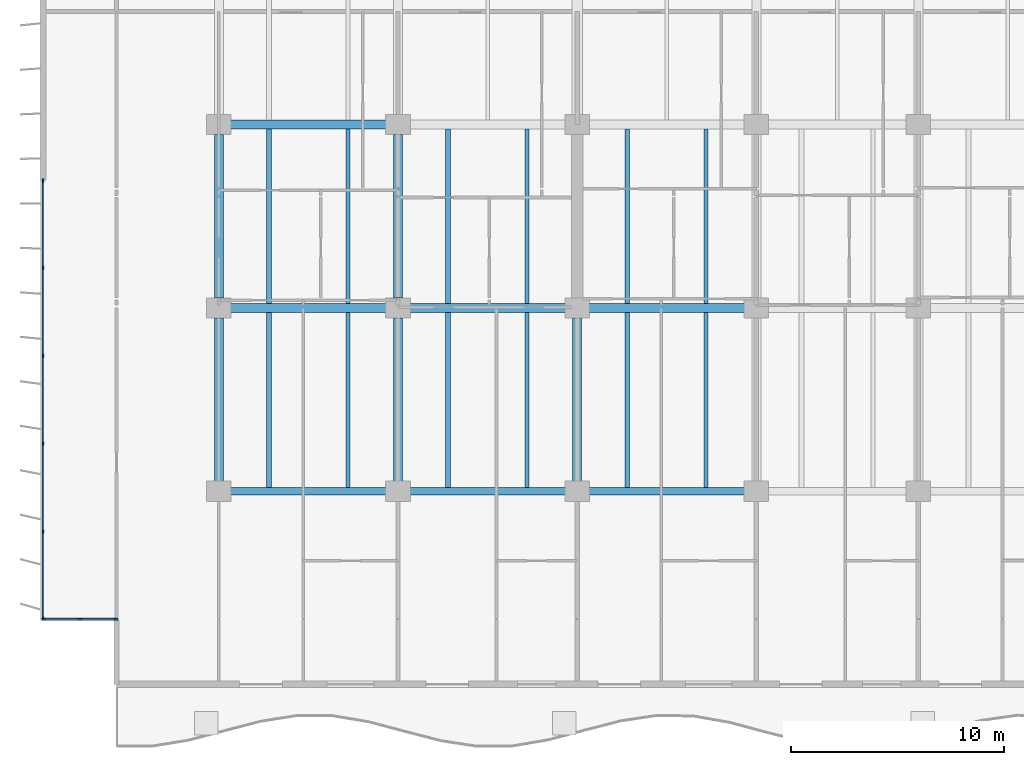
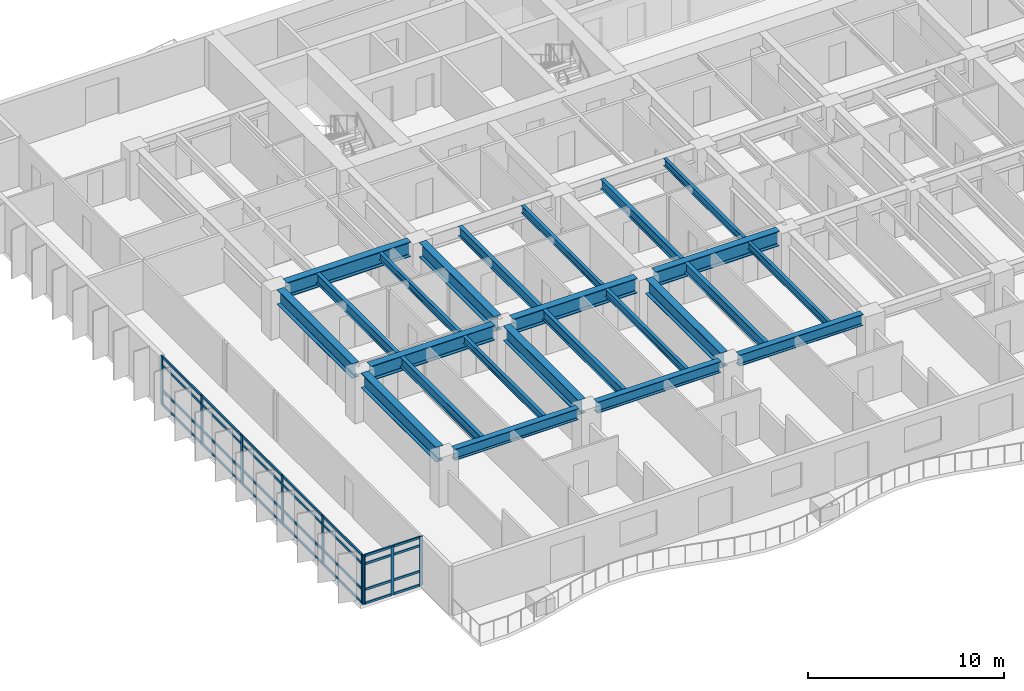
# One storey, part 2 of 18: 37 members, 24 beams, 2 elements without a shape of their own.
"""IFC4 building model written with IfcOpenShell, lengths in metres."""

import ifcopenshell
import ifcopenshell.guid

model = None  # the IFC model being written
_history = None  # IfcOwnerHistory: only IFC2X3 demands one
_inside = {}  # id of a spatial element -> (the spatial element, [elements in it])
_under = {}  # id of a project, library or spatial element -> (it, [spatial elements below it])
_declared = {}  # id of a project -> (the project, [libraries it declares])
_typed = {}  # id of a type object -> (the type object, [elements of that type])
_made_of = {}  # id of a material, layer set ... -> (it, [elements and type objects made of it])


def new_model(schema):
    """Start an empty IFC model of exactly this schema.

    Asked for "IFC4X3", IfcOpenShell would pick the latest addendum, in which some entities
    have other attributes; the version numbers below select the first issue.
    IFC2X3 requires an IfcOwnerHistory on every rooted entity: one is made here for all.
    """
    global model, _history
    if schema == "IFC4X3":
        model = ifcopenshell.file(schema_version=(4, 3, 0, 0))
    else:
        model = ifcopenshell.file(schema=schema)
    _inside.clear()
    _under.clear()
    _declared.clear()
    _typed.clear()
    _made_of.clear()
    _history = None
    if model.schema == "IFC2X3":
        org = make("IfcOrganization", Name="unknown")
        user = make(
            "IfcPersonAndOrganization",
            ThePerson=make("IfcPerson", FamilyName="unknown"),
            TheOrganization=org,
        )
        app = make(
            "IfcApplication",
            ApplicationDeveloper=org,
            Version="unknown",
            ApplicationFullName="unknown",
            ApplicationIdentifier="unknown",
        )
        _history = make(
            "IfcOwnerHistory",
            OwningUser=user,
            OwningApplication=app,
            ChangeAction="ADDED",
            CreationDate=0,
        )
    return model


def make(cls, **values):
    """One entity of the class cls with the attributes given. An attribute that is None is left unset."""
    return model.create_entity(
        cls, **{name: value for name, value in values.items() if value is not None}
    )


def rooted(cls, **values):
    """An entity with a GlobalId (a new one), such as an element, a storey or a relation."""
    return make(cls, GlobalId=ifcopenshell.guid.new(), OwnerHistory=_history, **values)


def si_unit(unit_type, name, prefix=None):
    """IfcSIUnit, for example si_unit("LENGTHUNIT", "METRE", prefix="MILLI")."""
    return make("IfcSIUnit", UnitType=unit_type, Prefix=prefix, Name=name)


def assignment(units):
    """IfcUnitAssignment: the units of a project."""
    return None if units is None else make("IfcUnitAssignment", Units=units)


def point(xyz):
    """IfcCartesianPoint."""
    return None if xyz is None else make("IfcCartesianPoint", Coordinates=xyz)


def direction(xyz):
    """IfcDirection."""
    return None if xyz is None else make("IfcDirection", DirectionRatios=xyz)


def frame(location, z_axis=None, x_axis=None):
    """IfcAxis2Placement3D, a coordinate frame: its origin and axes. An axis left out is left unset."""
    return make(
        "IfcAxis2Placement3D",
        Location=point(location),
        Axis=direction(z_axis),
        RefDirection=direction(x_axis),
    )


def frame_2d(location, x_axis=None):
    """IfcAxis2Placement2D, a coordinate frame in the plane: its origin and x axis."""
    return make(
        "IfcAxis2Placement2D", Location=point(location), RefDirection=direction(x_axis)
    )


def origin():
    """The frame at (0, 0, 0) with its axes left unset."""
    return frame((0.0, 0.0, 0.0))


def origin_2d():
    """The frame at (0, 0) in the plane with its x axis left unset."""
    return frame_2d((0.0, 0.0))


def place(relative_to, where):
    """IfcLocalPlacement: puts the frame where relative to a parent placement (None: the world)."""
    return make(
        "IfcLocalPlacement", PlacementRelTo=relative_to, RelativePlacement=where
    )


def context(
    kind, dimensions, precision=None, world=None, true_north=None, identifier=None
):
    """IfcGeometricRepresentationContext, for example the 3D "Model" context."""
    return make(
        "IfcGeometricRepresentationContext",
        ContextIdentifier=identifier,
        ContextType=kind,
        CoordinateSpaceDimension=dimensions,
        Precision=precision,
        WorldCoordinateSystem=world,
        TrueNorth=true_north,
    )


def subcontext(parent, identifier, kind, view, scale=None):
    """IfcGeometricRepresentationSubContext, for example "Body" below "Model"."""
    return make(
        "IfcGeometricRepresentationSubContext",
        ContextIdentifier=identifier,
        ContextType=kind,
        ParentContext=parent,
        TargetScale=scale,
        TargetView=view,
    )


def project(units=None, contexts=None):
    """IfcProject with its units and contexts."""
    return rooted(
        "IfcProject",
        Name="project",
        RepresentationContexts=contexts,
        UnitsInContext=assignment(units),
    )


def spatial(cls, under=None, at=None, **own):
    """A site, building, storey or space (cls), placed at a placement, below another one or the project."""
    s = rooted(cls, ObjectPlacement=at, **own)
    if under is not None:
        _under.setdefault(under.id(), (under, []))[1].append(s)
    return s


def profile(cls, at=None, kind="AREA", **sizes):
    """A parametric profile (cls). Its sizes go by their IFC names, for example OverallWidth=200.0."""
    return make(cls, ProfileType=kind, Position=at, **sizes)


def rectangle(**sizes):
    """IfcRectangleProfileDef."""
    return profile("IfcRectangleProfileDef", **sizes)


def i_section(**sizes):
    """IfcIShapeProfileDef."""
    return profile("IfcIShapeProfileDef", **sizes)


def extrude(swept, where, along, depth):
    """IfcExtrudedAreaSolid: the profile swept, set in the frame where, extruded along a direction by depth."""
    return make(
        "IfcExtrudedAreaSolid",
        SweptArea=swept,
        Position=where,
        ExtrudedDirection=direction(along),
        Depth=depth,
    )


def shape(context_of_items, identifier, shape_type, items):
    """IfcShapeRepresentation: the items that make up one representation, for example the "Body"."""
    return make(
        "IfcShapeRepresentation",
        ContextOfItems=context_of_items,
        RepresentationIdentifier=identifier,
        RepresentationType=shape_type,
        Items=items,
    )


def material(Name=None, Category=None):
    """IfcMaterial."""
    return make("IfcMaterial", Name=Name, Category=Category)


def layer(
    of_material, thickness, ventilated=None, Name=None, Category=None, Priority=None
):
    """IfcMaterialLayer: one layer of a wall or slab, of a material (None: an air gap)."""
    return make(
        "IfcMaterialLayer",
        Material=of_material,
        LayerThickness=thickness,
        IsVentilated=ventilated,
        Name=Name,
        Category=Category,
        Priority=Priority,
    )


def layer_set(layers, Name=None):
    """IfcMaterialLayerSet."""
    return make("IfcMaterialLayerSet", MaterialLayers=layers, LayerSetName=Name)


def material_profile(
    of_material, cross_section, Name=None, Category=None, Priority=None
):
    """IfcMaterialProfile: a cross section and its material."""
    return make(
        "IfcMaterialProfile",
        Name=Name,
        Material=of_material,
        Profile=cross_section,
        Priority=Priority,
        Category=Category,
    )


def profile_set(profiles, Name=None, composite=None):
    """IfcMaterialProfileSet."""
    return make(
        "IfcMaterialProfileSet",
        Name=Name,
        MaterialProfiles=profiles,
        CompositeProfile=composite,
    )


def made_of(thing, what):
    """Note that an element or type object is made of a material, layer set ...; save() writes the relation."""
    if what is not None:
        _made_of.setdefault(what.id(), (what, []))[1].append(thing)
    return thing


def type_object(cls, material=None, **own):
    """A type object (cls), such as IfcWallType, which elements share."""
    return made_of(rooted(cls, **own), material)


def element(
    cls,
    number,
    at=None,
    inside=None,
    cuts=None,
    type_object=None,
    material=None,
    context=None,
    identifier="Body",
    shape_type=None,
    held_by="IfcProductDefinitionShape",
    body=None,
    shapes=None,
    **own,
):
    """One element of the class cls, such as IfcWall. Its Tag is "e" and its number.

    at: its placement. inside: the storey or other place that contains it. cuts: it is an
    opening in that element (IfcRelVoidsElement). A single representation is given by context,
    identifier, shape_type and body (its items); several are given by shapes. held_by: the class
    of the entity that holds the representations. save() writes the other relations.
    """
    e = rooted(cls, Tag="e%d" % number, ObjectPlacement=at, **own)
    if body is not None:
        shapes = [shape(context, identifier, shape_type, body)]
    if shapes is not None:
        e.Representation = make(held_by, Representations=shapes)
    if inside is not None:
        _inside.setdefault(inside.id(), (inside, []))[1].append(e)
    if cuts is not None:
        rooted(
            "IfcRelVoidsElement", RelatingBuildingElement=cuts, RelatedOpeningElement=e
        )
    if type_object is not None:
        _typed.setdefault(type_object.id(), (type_object, []))[1].append(e)
    return made_of(e, material)


def aggregate(whole, parts):
    """IfcRelAggregates: a whole, such as a stair, and the parts it consists of."""
    return rooted("IfcRelAggregates", RelatingObject=whole, RelatedObjects=parts)


def save(model, path):
    """Write the relations noted so far, then the file.

    IfcRelAggregates (storeys below a building ...), IfcRelContainedInSpatialStructure (elements
    in a storey), IfcRelDefinesByType, IfcRelAssociatesMaterial and IfcRelDeclares: one each for
    every whole, place, type object, material and project.
    """
    for whole, parts in _under.values():
        aggregate(whole, parts)
    for where, things in _inside.values():
        rooted(
            "IfcRelContainedInSpatialStructure",
            RelatedElements=things,
            RelatingStructure=where,
        )
    for kind, things in _typed.values():
        rooted("IfcRelDefinesByType", RelatedObjects=things, RelatingType=kind)
    for what, things in _made_of.values():
        rooted("IfcRelAssociatesMaterial", RelatedObjects=things, RelatingMaterial=what)
    for by, libraries in _declared.values():
        rooted("IfcRelDeclares", RelatingContext=by, RelatedDefinitions=libraries)
    model.write(path)


model = new_model("IFC4")

# Units and contexts
model_context = context("Model", 3, precision=1e-05, world=origin(), true_north=direction((0.0, 1.0)))
body_context = subcontext(model_context, "Body", "Model", "MODEL_VIEW")
ifc_project = project(units=[si_unit("LENGTHUNIT", "METRE"), si_unit("AREAUNIT", "SQUARE_METRE"), si_unit("VOLUMEUNIT", "CUBIC_METRE"), si_unit("PLANEANGLEUNIT", "RADIAN"), si_unit("MASSUNIT", "GRAM", prefix="KILO")], contexts=[model_context])

# Site, building, storey
site_placement = place(None, origin())
site = spatial("IfcSite", under=ifc_project, at=site_placement, CompositionType="ELEMENT")
building_placement = place(site_placement, origin())
building = spatial("IfcBuilding", under=site, at=building_placement, Name="Caelmar Bay Residences", CompositionType="ELEMENT")
storey_placement = place(building_placement, frame((0.0, 0.0, 69.60009765625)))
storey = spatial("IfcBuildingStorey", under=building, at=storey_placement, Name="L18", CompositionType="ELEMENT", Elevation=69.60009765625)

# Beams
ifc_material_1 = material(Name="Steel ASTM A992 Grade 50", Category="steel")
ifc_material_profile_1 = material_profile(ifc_material_1, i_section(OverallWidth=0.422119140625, OverallDepth=0.925048828125, WebThickness=0.021240234375, FlangeThickness=0.03662109375, FilletRadius=0.020263671875, at=origin_2d()), Name="W36X262")
ifc_profile_set_1 = profile_set([ifc_material_profile_1], Name="Steel ASTM A992 Grade 50")
beam_type_1 = type_object("IfcBeamType", Name="BM-GRD-W36X262", PredefinedType="BEAM", material=ifc_profile_set_1)
beam_1_placement = place(storey_placement, frame((10.43994140625, 20.800048828125, 2.58740234375), z_axis=(1.0, 0.0, 0.0), x_axis=(0.0, 1.0, 0.0)))
element("IfcBeam", 1, at=beam_1_placement, inside=storey, type_object=beam_type_1, Name="L18 East-West Girder Y=20.80 (9.9-18.3)", PredefinedType="BEAM", context=body_context, shape_type="SweptSolid", body=[
    extrude(i_section(OverallWidth=0.422119140625, OverallDepth=0.925048828125, WebThickness=0.021240234375, FlangeThickness=0.03662109375, FilletRadius=0.020263671875, at=origin_2d()), origin(), (0.0, 0.0, 1.0), 7.320068359375),
])
beam_2_placement = place(storey_placement, frame((18.840087890625, 20.800048828125, 2.58740234375), z_axis=(1.0, 0.0, 0.0), x_axis=(0.0, 1.0, 0.0)))
element("IfcBeam", 2, at=beam_2_placement, inside=storey, type_object=beam_type_1, Name="L18 East-West Girder Y=20.80 (18.3-26.7)", PredefinedType="BEAM", context=body_context, shape_type="SweptSolid", body=[
    extrude(i_section(OverallWidth=0.422119140625, OverallDepth=0.925048828125, WebThickness=0.021240234375, FlangeThickness=0.03662109375, FilletRadius=0.020263671875, at=origin_2d()), origin(), (0.0, 0.0, 1.0), 7.31982421875),
])
for number, where, z_axis, x_axis, name in (
    (3, (27.239990234375, 20.800048828125, 2.58740234375), (1.0, 0.0, 0.0), (0.0, 1.0, 0.0), "L18 East-West Girder Y=20.80 (26.7-35.1)"),
    (4, (10.43994140625, 29.39990234375, 2.58740234375), (1.0, 0.0, 0.0), (0.0, 1.0, 0.0), "L18 East-West Girder Y=29.40 (9.9-18.3)"),
):
    element("IfcBeam", number, at=place(storey_placement, frame(where, z_axis=z_axis, x_axis=x_axis)), inside=storey, type_object=beam_type_1, Name=name, PredefinedType="BEAM", context=body_context, shape_type="SweptSolid", body=[
        extrude(i_section(OverallWidth=0.422119140625, OverallDepth=0.925048828125, WebThickness=0.021240234375, FlangeThickness=0.03662109375, FilletRadius=0.020263671875, at=origin_2d()), origin(), (0.0, 0.0, 1.0), 7.320068359375),
    ])
beam_3_placement = place(storey_placement, frame((9.89990234375, 12.6650390625, 2.58740234375), z_axis=(0.0, 1.0, 0.0), x_axis=(-1.0, 0.0, 0.0)))
element("IfcBeam", 5, at=beam_3_placement, inside=storey, type_object=beam_type_1, Name="L18 North-South Girder X=9.90 (12.2-20.8)", PredefinedType="BEAM", context=body_context, shape_type="SweptSolid", body=[
    extrude(i_section(OverallWidth=0.422119140625, OverallDepth=0.925048828125, WebThickness=0.021240234375, FlangeThickness=0.03662109375, FilletRadius=0.020263671875, at=origin_2d()), origin(), (0.0, 0.0, 1.0), 7.669921875),
])
beam_4_placement = place(storey_placement, frame((9.89990234375, 21.264892578125, 2.58740234375), z_axis=(0.0, 1.0, 0.0), x_axis=(-1.0, 0.0, 0.0)))
element("IfcBeam", 6, at=beam_4_placement, inside=storey, type_object=beam_type_1, Name="L18 North-South Girder X=9.90 (20.8-29.4)", PredefinedType="BEAM", context=body_context, shape_type="SweptSolid", body=[
    extrude(i_section(OverallWidth=0.422119140625, OverallDepth=0.925048828125, WebThickness=0.021240234375, FlangeThickness=0.03662109375, FilletRadius=0.020263671875, at=origin_2d()), origin(), (0.0, 0.0, 1.0), 7.670166015625),
])
beam_5_placement = place(storey_placement, frame((18.300048828125, 12.6650390625, 2.58740234375), z_axis=(0.0, 1.0, 0.0), x_axis=(-1.0, 0.0, 0.0)))
element("IfcBeam", 7, at=beam_5_placement, inside=storey, type_object=beam_type_1, Name="L18 North-South Girder X=18.30 (12.2-20.8)", PredefinedType="BEAM", context=body_context, shape_type="SweptSolid", body=[
    extrude(i_section(OverallWidth=0.422119140625, OverallDepth=0.925048828125, WebThickness=0.021240234375, FlangeThickness=0.03662109375, FilletRadius=0.020263671875, at=origin_2d()), origin(), (0.0, 0.0, 1.0), 7.669921875),
])
beam_6_placement = place(storey_placement, frame((18.300048828125, 21.264892578125, 2.58740234375), z_axis=(0.0, 1.0, 0.0), x_axis=(-1.0, 0.0, 0.0)))
element("IfcBeam", 8, at=beam_6_placement, inside=storey, type_object=beam_type_1, Name="L18 North-South Girder X=18.30 (20.8-29.4)", PredefinedType="BEAM", context=body_context, shape_type="SweptSolid", body=[
    extrude(i_section(OverallWidth=0.422119140625, OverallDepth=0.925048828125, WebThickness=0.021240234375, FlangeThickness=0.03662109375, FilletRadius=0.020263671875, at=origin_2d()), origin(), (0.0, 0.0, 1.0), 7.670166015625),
])
beam_7_placement = place(storey_placement, frame((26.699951171875, 12.6650390625, 2.58740234375), z_axis=(0.0, 1.0, 0.0), x_axis=(-1.0, 0.0, 0.0)))
element("IfcBeam", 9, at=beam_7_placement, inside=storey, type_object=beam_type_1, Name="L18 North-South Girder X=26.70 (12.2-20.8)", PredefinedType="BEAM", context=body_context, shape_type="SweptSolid", body=[
    extrude(i_section(OverallWidth=0.422119140625, OverallDepth=0.925048828125, WebThickness=0.021240234375, FlangeThickness=0.03662109375, FilletRadius=0.020263671875, at=origin_2d()), origin(), (0.0, 0.0, 1.0), 7.669921875),
])
ifc_material_profile_2 = material_profile(ifc_material_1, i_section(OverallWidth=0.19091796875, OverallDepth=0.45703125, WebThickness=0.009033203125, FlangeThickness=0.014404296875, FilletRadius=0.01025390625, at=origin_2d()), Name="W18X50")
ifc_profile_set_2 = profile_set([ifc_material_profile_2], Name="Steel ASTM A992 Grade 50")
beam_type_2 = type_object("IfcBeamType", Name="BM-JST-W18X50", PredefinedType="JOIST", material=ifc_profile_set_2)
for number, where, z_axis, x_axis, name in (
    (10, (15.947998046875, 12.3779296875, 2.8212890625), (0.0, 1.0, 0.0), (-1.0, 0.0, 0.0), "L18 Composite Floor Joist 2"),
    (11, (24.347900390625, 12.3779296875, 2.8212890625), (0.0, 1.0, 0.0), (-1.0, 0.0, 0.0), "L18 Composite Floor Joist 4"),
    (12, (32.748046875, 12.3779296875, 2.8212890625), (0.0, 1.0, 0.0), (-1.0, 0.0, 0.0), "L18 Composite Floor Joist 6"),
):
    element("IfcBeam", number, at=place(storey_placement, frame(where, z_axis=z_axis, x_axis=x_axis)), inside=storey, type_object=beam_type_2, Name=name, PredefinedType="JOIST", context=body_context, shape_type="SweptSolid", body=[
        extrude(i_section(OverallWidth=0.19091796875, OverallDepth=0.45703125, WebThickness=0.009033203125, FlangeThickness=0.014404296875, FilletRadius=0.01025390625, at=origin_2d()), origin(), (0.0, 0.0, 1.0), 8.211181640625),
    ])
for number, where, z_axis, x_axis, name in (
    (13, (15.947998046875, 21.010986328125, 2.8212890625), (0.0, 1.0, 0.0), (-1.0, 0.0, 0.0), "L18 Composite Floor Joist 16"),
    (14, (24.347900390625, 21.010986328125, 2.8212890625), (0.0, 1.0, 0.0), (-1.0, 0.0, 0.0), "L18 Composite Floor Joist 18"),
    (15, (32.748046875, 21.010986328125, 2.8212890625), (0.0, 1.0, 0.0), (-1.0, 0.0, 0.0), "L18 Composite Floor Joist 20"),
):
    element("IfcBeam", number, at=place(storey_placement, frame(where, z_axis=z_axis, x_axis=x_axis)), inside=storey, type_object=beam_type_2, Name=name, PredefinedType="JOIST", context=body_context, shape_type="SweptSolid", body=[
        extrude(i_section(OverallWidth=0.19091796875, OverallDepth=0.45703125, WebThickness=0.009033203125, FlangeThickness=0.014404296875, FilletRadius=0.01025390625, at=origin_2d()), origin(), (0.0, 0.0, 1.0), 8.177978515625),
    ])
ifc_material_profile_3 = material_profile(ifc_material_1, i_section(OverallWidth=0.22900390625, OverallDepth=0.612060546875, WebThickness=0.011962890625, FlangeThickness=0.01953125, FilletRadius=0.0126953125, at=origin_2d()), Name="W24X84")
ifc_profile_set_3 = profile_set([ifc_material_profile_3], Name="Steel ASTM A992 Grade 50")
beam_type_3 = type_object("IfcBeamType", Name="BM-JST-W24X84", PredefinedType="JOIST", material=ifc_profile_set_3)
for number, where, z_axis, x_axis, name in (
    (16, (12.251953125, 12.3779296875, 2.743896484375), (0.0, 1.0, 0.0), (-1.0, 0.0, 0.0), "L18 Composite Floor Joist 1"),
    (17, (20.652099609375, 12.3779296875, 2.743896484375), (0.0, 1.0, 0.0), (-1.0, 0.0, 0.0), "L18 Composite Floor Joist 3"),
    (18, (29.052001953125, 12.3779296875, 2.743896484375), (0.0, 1.0, 0.0), (-1.0, 0.0, 0.0), "L18 Composite Floor Joist 5"),
):
    element("IfcBeam", number, at=place(storey_placement, frame(where, z_axis=z_axis, x_axis=x_axis)), inside=storey, type_object=beam_type_3, Name=name, PredefinedType="JOIST", context=body_context, shape_type="SweptSolid", body=[
        extrude(i_section(OverallWidth=0.22900390625, OverallDepth=0.612060546875, WebThickness=0.011962890625, FlangeThickness=0.01953125, FilletRadius=0.0126953125, at=origin_2d()), origin(), (0.0, 0.0, 1.0), 8.211181640625),
    ])
for number, where, z_axis, x_axis, name in (
    (19, (12.251953125, 21.010986328125, 2.743896484375), (0.0, 1.0, 0.0), (-1.0, 0.0, 0.0), "L18 Composite Floor Joist 15"),
    (20, (20.652099609375, 21.010986328125, 2.743896484375), (0.0, 1.0, 0.0), (-1.0, 0.0, 0.0), "L18 Composite Floor Joist 17"),
    (21, (29.052001953125, 21.010986328125, 2.743896484375), (0.0, 1.0, 0.0), (-1.0, 0.0, 0.0), "L18 Composite Floor Joist 19"),
):
    element("IfcBeam", number, at=place(storey_placement, frame(where, z_axis=z_axis, x_axis=x_axis)), inside=storey, type_object=beam_type_3, Name=name, PredefinedType="JOIST", context=body_context, shape_type="SweptSolid", body=[
        extrude(i_section(OverallWidth=0.22900390625, OverallDepth=0.612060546875, WebThickness=0.011962890625, FlangeThickness=0.01953125, FilletRadius=0.0126953125, at=origin_2d()), origin(), (0.0, 0.0, 1.0), 8.177978515625),
    ])
ifc_material_profile_4 = material_profile(ifc_material_1, i_section(OverallWidth=0.35595703125, OverallDepth=0.696044921875, WebThickness=0.015380859375, FlangeThickness=0.02490234375, FilletRadius=0.01513671875, at=origin_2d()), Name="W27X146")
ifc_profile_set_4 = profile_set([ifc_material_profile_4], Name="Steel ASTM A992 Grade 50")
beam_type_4 = type_object("IfcBeamType", Name="BM-SPN-W27X146", PredefinedType="SPANDREL", material=ifc_profile_set_4)
beam_8_placement = place(storey_placement, frame((10.43994140625, 12.199951171875, 2.701904296875), z_axis=(1.0, 0.0, 0.0), x_axis=(0.0, 1.0, 0.0)))
element("IfcBeam", 22, at=beam_8_placement, inside=storey, type_object=beam_type_4, Name="L18 East-West Girder Y=12.20 (9.9-18.3)", PredefinedType="SPANDREL", context=body_context, shape_type="SweptSolid", body=[
    extrude(i_section(OverallWidth=0.35595703125, OverallDepth=0.696044921875, WebThickness=0.015380859375, FlangeThickness=0.02490234375, FilletRadius=0.01513671875, at=origin_2d()), origin(), (0.0, 0.0, 1.0), 7.320068359375),
])
beam_9_placement = place(storey_placement, frame((18.840087890625, 12.199951171875, 2.701904296875), z_axis=(1.0, 0.0, 0.0), x_axis=(0.0, 1.0, 0.0)))
element("IfcBeam", 23, at=beam_9_placement, inside=storey, type_object=beam_type_4, Name="L18 East-West Girder Y=12.20 (18.3-26.7)", PredefinedType="SPANDREL", context=body_context, shape_type="SweptSolid", body=[
    extrude(i_section(OverallWidth=0.35595703125, OverallDepth=0.696044921875, WebThickness=0.015380859375, FlangeThickness=0.02490234375, FilletRadius=0.01513671875, at=origin_2d()), origin(), (0.0, 0.0, 1.0), 7.31982421875),
])
beam_10_placement = place(storey_placement, frame((27.239990234375, 12.199951171875, 2.701904296875), z_axis=(1.0, 0.0, 0.0), x_axis=(0.0, 1.0, 0.0)))
element("IfcBeam", 24, at=beam_10_placement, inside=storey, type_object=beam_type_4, Name="L18 East-West Girder Y=12.20 (26.7-35.1)", PredefinedType="SPANDREL", context=body_context, shape_type="SweptSolid", body=[
    extrude(i_section(OverallWidth=0.35595703125, OverallDepth=0.696044921875, WebThickness=0.015380859375, FlangeThickness=0.02490234375, FilletRadius=0.01513671875, at=origin_2d()), origin(), (0.0, 0.0, 1.0), 7.320068359375),
])

# Curtain wall, members
ifc_material_2 = material(Name="Anodised bronze aluminium 6063-T6 and laminated glass", Category="aluminium")
ifc_layer_1 = layer(ifc_material_2, 0.179931640625)
ifc_layer_set_1 = layer_set([ifc_layer_1], Name="Anodised bronze aluminium 6063-T6 and laminated glass")
curtain_wall_type_1 = type_object("IfcCurtainWallType", Name="CW6-NTC", PredefinedType="NOTDEFINED", material=ifc_layer_set_1)
curtain_wall_1_placement = place(storey_placement, origin())
curtain_wall_1 = element("IfcCurtainWall", 25, at=curtain_wall_1_placement, inside=storey, type_object=curtain_wall_type_1, Name="CW6 curtain wall L18", PredefinedType="NOTDEFINED")
ifc_material_3 = material(Name="Anodised bronze aluminium 6063-T6", Category="aluminium")
ifc_material_profile_5 = material_profile(ifc_material_3, rectangle(XDim=0.080078125, YDim=0.179931640625, at=origin_2d()), Name="CWM-80X180")
ifc_profile_set_5 = profile_set([ifc_material_profile_5], Name="Anodised bronze aluminium 6063-T6")
member_type_1 = type_object("IfcMemberType", Name="CWM-180", PredefinedType="MULLION", material=ifc_profile_set_5)
member_1_placement = place(storey_placement, frame((1.68994140625, 6.199951171875, 0.0), z_axis=(0.0, 0.0, 1.0), x_axis=(0.0, 1.0, 0.0)))
member_1 = element("IfcMember", 26, at=member_1_placement, type_object=member_type_1, Name="CW6 mullion 1", PredefinedType="MULLION", context=body_context, shape_type="SweptSolid", body=[
    extrude(rectangle(XDim=0.080078125, YDim=0.179931640625, at=origin_2d()), origin(), (0.0, 0.0, 1.0), 3.0498046875),
])
member_2_placement = place(storey_placement, frame((3.375, 6.199951171875, 0.0), z_axis=(0.0, 0.0, 1.0), x_axis=(0.0, 1.0, 0.0)))
member_2 = element("IfcMember", 27, at=member_2_placement, type_object=member_type_1, Name="CW6 mullion 2", PredefinedType="MULLION", context=body_context, shape_type="SweptSolid", body=[
    extrude(rectangle(XDim=0.080078125, YDim=0.179931640625, at=origin_2d()), origin(), (0.0, 0.0, 1.0), 3.0498046875),
])
member_3_placement = place(storey_placement, frame((5.06005859375, 6.199951171875, 0.0), z_axis=(0.0, 0.0, 1.0), x_axis=(0.0, 1.0, 0.0)))
member_3 = element("IfcMember", 28, at=member_3_placement, type_object=member_type_1, Name="CW6 mullion 3", PredefinedType="MULLION", context=body_context, shape_type="SweptSolid", body=[
    extrude(rectangle(XDim=0.080078125, YDim=0.179931640625, at=origin_2d()), origin(), (0.0, 0.0, 1.0), 3.0498046875),
])

ifc_layer_2 = layer(ifc_material_2, 0.179931640625)
ifc_layer_set_2 = layer_set([ifc_layer_2], Name="Anodised bronze aluminium 6063-T6 and laminated glass")
curtain_wall_type_2 = type_object("IfcCurtainWallType", Name="CW2-Z1", PredefinedType="NOTDEFINED", material=ifc_layer_set_2)
curtain_wall_2_placement = place(storey_placement, origin())
curtain_wall_2 = element("IfcCurtainWall", 29, at=curtain_wall_2_placement, inside=storey, type_object=curtain_wall_type_2, Name="CW2 curtain wall L18", PredefinedType="NOTDEFINED")
member_4_placement = place(storey_placement, frame((1.64990234375, 6.239990234375, 0.0), z_axis=(0.0, 0.0, 1.0), x_axis=(-1.0, 0.0, 0.0)))
member_4 = element("IfcMember", 30, at=member_4_placement, type_object=member_type_1, Name="CW2 mullion 1", PredefinedType="MULLION", context=body_context, shape_type="SweptSolid", body=[
    extrude(rectangle(XDim=0.080078125, YDim=0.179931640625, at=origin_2d()), origin(), (0.0, 0.0, 1.0), 3.0498046875),
])
member_5_placement = place(storey_placement, frame((1.64990234375, 10.320068359375, 0.0), z_axis=(0.0, 0.0, 1.0), x_axis=(-1.0, 0.0, 0.0)))
member_5 = element("IfcMember", 31, at=member_5_placement, type_object=member_type_1, Name="CW2 mullion 2", PredefinedType="MULLION", context=body_context, shape_type="SweptSolid", body=[
    extrude(rectangle(XDim=0.080078125, YDim=0.179931640625, at=origin_2d()), origin(), (0.0, 0.0, 1.0), 3.0498046875),
])
member_6_placement = place(storey_placement, frame((1.64990234375, 14.43994140625, 0.0), z_axis=(0.0, 0.0, 1.0), x_axis=(-1.0, 0.0, 0.0)))
member_6 = element("IfcMember", 32, at=member_6_placement, type_object=member_type_1, Name="CW2 mullion 3", PredefinedType="MULLION", context=body_context, shape_type="SweptSolid", body=[
    extrude(rectangle(XDim=0.080078125, YDim=0.179931640625, at=origin_2d()), origin(), (0.0, 0.0, 1.0), 3.0498046875),
])
member_7_placement = place(storey_placement, frame((1.64990234375, 18.56005859375, 0.0), z_axis=(0.0, 0.0, 1.0), x_axis=(-1.0, 0.0, 0.0)))
member_7 = element("IfcMember", 33, at=member_7_placement, type_object=member_type_1, Name="CW2 mullion 4", PredefinedType="MULLION", context=body_context, shape_type="SweptSolid", body=[
    extrude(rectangle(XDim=0.080078125, YDim=0.179931640625, at=origin_2d()), origin(), (0.0, 0.0, 1.0), 3.0498046875),
])
member_8_placement = place(storey_placement, frame((1.64990234375, 22.679931640625, 0.0), z_axis=(0.0, 0.0, 1.0), x_axis=(-1.0, 0.0, 0.0)))
member_8 = element("IfcMember", 34, at=member_8_placement, type_object=member_type_1, Name="CW2 mullion 5", PredefinedType="MULLION", context=body_context, shape_type="SweptSolid", body=[
    extrude(rectangle(XDim=0.080078125, YDim=0.179931640625, at=origin_2d()), origin(), (0.0, 0.0, 1.0), 3.0498046875),
])
member_9_placement = place(storey_placement, frame((1.64990234375, 26.760009765625, 0.0), z_axis=(0.0, 0.0, 1.0), x_axis=(-1.0, 0.0, 0.0)))
member_9 = element("IfcMember", 35, at=member_9_placement, type_object=member_type_1, Name="CW2 mullion 6", PredefinedType="MULLION", context=body_context, shape_type="SweptSolid", body=[
    extrude(rectangle(XDim=0.080078125, YDim=0.179931640625, at=origin_2d()), origin(), (0.0, 0.0, 1.0), 3.0498046875),
])

# Member
ifc_material_profile_6 = material_profile(ifc_material_3, rectangle(XDim=0.080078125, YDim=0.139892578125, at=origin_2d()), Name="CWT-80X140")
ifc_profile_set_6 = profile_set([ifc_material_profile_6], Name="Anodised bronze aluminium 6063-T6")
member_type_2 = type_object("IfcMemberType", Name="CWT-140", PredefinedType="NOTDEFINED", material=ifc_profile_set_6)
member_10_placement = place(storey_placement, frame((1.72998046875, 6.199951171875, 0.039794921875), z_axis=(1.0, 0.0, 0.0), x_axis=(0.0, 1.0, 0.0)))
member_10 = element("IfcMember", 36, at=member_10_placement, type_object=member_type_2, Name="CW6 transom 1.1", ObjectType="TRANSOM", PredefinedType="USERDEFINED", context=body_context, shape_type="SweptSolid", body=[
    extrude(rectangle(XDim=0.080078125, YDim=0.139892578125, at=origin_2d()), origin(), (0.0, 0.0, 1.0), 1.60498046875),
])

member_11_placement = place(storey_placement, frame((1.72998046875, 6.199951171875, 0.89990234375), z_axis=(1.0, 0.0, 0.0), x_axis=(0.0, 1.0, 0.0)))
member_11 = element("IfcMember", 37, at=member_11_placement, type_object=member_type_2, Name="CW6 transom 1.2", ObjectType="TRANSOM", PredefinedType="USERDEFINED", context=body_context, shape_type="SweptSolid", body=[
    extrude(rectangle(XDim=0.080078125, YDim=0.139892578125, at=origin_2d()), origin(), (0.0, 0.0, 1.0), 1.60498046875),
])

member_12_placement = place(storey_placement, frame((1.72998046875, 6.199951171875, 2.5), z_axis=(1.0, 0.0, 0.0), x_axis=(0.0, 1.0, 0.0)))
member_12 = element("IfcMember", 38, at=member_12_placement, type_object=member_type_2, Name="CW6 transom 1.3", ObjectType="TRANSOM", PredefinedType="USERDEFINED", context=body_context, shape_type="SweptSolid", body=[
    extrude(rectangle(XDim=0.080078125, YDim=0.139892578125, at=origin_2d()), origin(), (0.0, 0.0, 1.0), 1.60498046875),
])

member_13_placement = place(storey_placement, frame((1.72998046875, 6.199951171875, 3.010009765625), z_axis=(1.0, 0.0, 0.0), x_axis=(0.0, 1.0, 0.0)))
member_13 = element("IfcMember", 39, at=member_13_placement, type_object=member_type_2, Name="CW6 transom 1.4", ObjectType="TRANSOM", PredefinedType="USERDEFINED", context=body_context, shape_type="SweptSolid", body=[
    extrude(rectangle(XDim=0.080078125, YDim=0.139892578125, at=origin_2d()), origin(), (0.0, 0.0, 1.0), 1.60498046875),
])

member_14_placement = place(storey_placement, frame((3.4150390625, 6.199951171875, 0.039794921875), z_axis=(1.0, 0.0, 0.0), x_axis=(0.0, 1.0, 0.0)))
member_14 = element("IfcMember", 40, at=member_14_placement, type_object=member_type_2, Name="CW6 transom 2.1", ObjectType="TRANSOM", PredefinedType="USERDEFINED", context=body_context, shape_type="SweptSolid", body=[
    extrude(rectangle(XDim=0.080078125, YDim=0.139892578125, at=origin_2d()), origin(), (0.0, 0.0, 1.0), 1.60498046875),
])

member_15_placement = place(storey_placement, frame((3.4150390625, 6.199951171875, 0.89990234375), z_axis=(1.0, 0.0, 0.0), x_axis=(0.0, 1.0, 0.0)))
member_15 = element("IfcMember", 41, at=member_15_placement, type_object=member_type_2, Name="CW6 transom 2.2", ObjectType="TRANSOM", PredefinedType="USERDEFINED", context=body_context, shape_type="SweptSolid", body=[
    extrude(rectangle(XDim=0.080078125, YDim=0.139892578125, at=origin_2d()), origin(), (0.0, 0.0, 1.0), 1.60498046875),
])

member_16_placement = place(storey_placement, frame((3.4150390625, 6.199951171875, 2.5), z_axis=(1.0, 0.0, 0.0), x_axis=(0.0, 1.0, 0.0)))
member_16 = element("IfcMember", 42, at=member_16_placement, type_object=member_type_2, Name="CW6 transom 2.3", ObjectType="TRANSOM", PredefinedType="USERDEFINED", context=body_context, shape_type="SweptSolid", body=[
    extrude(rectangle(XDim=0.080078125, YDim=0.139892578125, at=origin_2d()), origin(), (0.0, 0.0, 1.0), 1.60498046875),
])

member_17_placement = place(storey_placement, frame((3.4150390625, 6.199951171875, 3.010009765625), z_axis=(1.0, 0.0, 0.0), x_axis=(0.0, 1.0, 0.0)))
member_17 = element("IfcMember", 43, at=member_17_placement, type_object=member_type_2, Name="CW6 transom 2.4", ObjectType="TRANSOM", PredefinedType="USERDEFINED", context=body_context, shape_type="SweptSolid", body=[
    extrude(rectangle(XDim=0.080078125, YDim=0.139892578125, at=origin_2d()), origin(), (0.0, 0.0, 1.0), 1.60498046875),
])

aggregate(curtain_wall_1, [member_1, member_2, member_3, member_10, member_11, member_12, member_13, member_14, member_15, member_16, member_17])

member_18_placement = place(storey_placement, frame((1.64990234375, 6.280029296875, 0.039794921875), z_axis=(0.0, 1.0, 0.0), x_axis=(-1.0, 0.0, 0.0)))
member_18 = element("IfcMember", 44, at=member_18_placement, type_object=member_type_2, Name="CW2 transom 1.1", ObjectType="TRANSOM", PredefinedType="USERDEFINED", context=body_context, shape_type="SweptSolid", body=[
    extrude(rectangle(XDim=0.080078125, YDim=0.139892578125, at=origin_2d()), origin(), (0.0, 0.0, 1.0), 4.0),
])

member_19_placement = place(storey_placement, frame((1.64990234375, 6.280029296875, 0.89990234375), z_axis=(0.0, 1.0, 0.0), x_axis=(-1.0, 0.0, 0.0)))
member_19 = element("IfcMember", 45, at=member_19_placement, type_object=member_type_2, Name="CW2 transom 1.2", ObjectType="TRANSOM", PredefinedType="USERDEFINED", context=body_context, shape_type="SweptSolid", body=[
    extrude(rectangle(XDim=0.080078125, YDim=0.139892578125, at=origin_2d()), origin(), (0.0, 0.0, 1.0), 4.0),
])

member_20_placement = place(storey_placement, frame((1.64990234375, 6.280029296875, 2.5), z_axis=(0.0, 1.0, 0.0), x_axis=(-1.0, 0.0, 0.0)))
member_20 = element("IfcMember", 46, at=member_20_placement, type_object=member_type_2, Name="CW2 transom 1.3", ObjectType="TRANSOM", PredefinedType="USERDEFINED", context=body_context, shape_type="SweptSolid", body=[
    extrude(rectangle(XDim=0.080078125, YDim=0.139892578125, at=origin_2d()), origin(), (0.0, 0.0, 1.0), 4.0),
])

member_21_placement = place(storey_placement, frame((1.64990234375, 6.280029296875, 3.010009765625), z_axis=(0.0, 1.0, 0.0), x_axis=(-1.0, 0.0, 0.0)))
member_21 = element("IfcMember", 47, at=member_21_placement, type_object=member_type_2, Name="CW2 transom 1.4", ObjectType="TRANSOM", PredefinedType="USERDEFINED", context=body_context, shape_type="SweptSolid", body=[
    extrude(rectangle(XDim=0.080078125, YDim=0.139892578125, at=origin_2d()), origin(), (0.0, 0.0, 1.0), 4.0),
])

member_22_placement = place(storey_placement, frame((1.64990234375, 10.360107421875, 0.039794921875), z_axis=(0.0, 1.0, 0.0), x_axis=(-1.0, 0.0, 0.0)))
member_22 = element("IfcMember", 48, at=member_22_placement, type_object=member_type_2, Name="CW2 transom 2.1", ObjectType="TRANSOM", PredefinedType="USERDEFINED", context=body_context, shape_type="SweptSolid", body=[
    extrude(rectangle(XDim=0.080078125, YDim=0.139892578125, at=origin_2d()), origin(), (0.0, 0.0, 1.0), 4.039794921875),
])

member_23_placement = place(storey_placement, frame((1.64990234375, 10.360107421875, 0.89990234375), z_axis=(0.0, 1.0, 0.0), x_axis=(-1.0, 0.0, 0.0)))
member_23 = element("IfcMember", 49, at=member_23_placement, type_object=member_type_2, Name="CW2 transom 2.2", ObjectType="TRANSOM", PredefinedType="USERDEFINED", context=body_context, shape_type="SweptSolid", body=[
    extrude(rectangle(XDim=0.080078125, YDim=0.139892578125, at=origin_2d()), origin(), (0.0, 0.0, 1.0), 4.039794921875),
])

member_24_placement = place(storey_placement, frame((1.64990234375, 10.360107421875, 2.5), z_axis=(0.0, 1.0, 0.0), x_axis=(-1.0, 0.0, 0.0)))
member_24 = element("IfcMember", 50, at=member_24_placement, type_object=member_type_2, Name="CW2 transom 2.3", ObjectType="TRANSOM", PredefinedType="USERDEFINED", context=body_context, shape_type="SweptSolid", body=[
    extrude(rectangle(XDim=0.080078125, YDim=0.139892578125, at=origin_2d()), origin(), (0.0, 0.0, 1.0), 4.039794921875),
])

member_25_placement = place(storey_placement, frame((1.64990234375, 10.360107421875, 3.010009765625), z_axis=(0.0, 1.0, 0.0), x_axis=(-1.0, 0.0, 0.0)))
member_25 = element("IfcMember", 51, at=member_25_placement, type_object=member_type_2, Name="CW2 transom 2.4", ObjectType="TRANSOM", PredefinedType="USERDEFINED", context=body_context, shape_type="SweptSolid", body=[
    extrude(rectangle(XDim=0.080078125, YDim=0.139892578125, at=origin_2d()), origin(), (0.0, 0.0, 1.0), 4.039794921875),
])

member_26_placement = place(storey_placement, frame((1.64990234375, 14.47998046875, 0.039794921875), z_axis=(0.0, 1.0, 0.0), x_axis=(-1.0, 0.0, 0.0)))
member_26 = element("IfcMember", 52, at=member_26_placement, type_object=member_type_2, Name="CW2 transom 3.1", ObjectType="TRANSOM", PredefinedType="USERDEFINED", context=body_context, shape_type="SweptSolid", body=[
    extrude(rectangle(XDim=0.080078125, YDim=0.139892578125, at=origin_2d()), origin(), (0.0, 0.0, 1.0), 4.0400390625),
])

member_27_placement = place(storey_placement, frame((1.64990234375, 14.47998046875, 0.89990234375), z_axis=(0.0, 1.0, 0.0), x_axis=(-1.0, 0.0, 0.0)))
member_27 = element("IfcMember", 53, at=member_27_placement, type_object=member_type_2, Name="CW2 transom 3.2", ObjectType="TRANSOM", PredefinedType="USERDEFINED", context=body_context, shape_type="SweptSolid", body=[
    extrude(rectangle(XDim=0.080078125, YDim=0.139892578125, at=origin_2d()), origin(), (0.0, 0.0, 1.0), 4.0400390625),
])

member_28_placement = place(storey_placement, frame((1.64990234375, 14.47998046875, 2.5), z_axis=(0.0, 1.0, 0.0), x_axis=(-1.0, 0.0, 0.0)))
member_28 = element("IfcMember", 54, at=member_28_placement, type_object=member_type_2, Name="CW2 transom 3.3", ObjectType="TRANSOM", PredefinedType="USERDEFINED", context=body_context, shape_type="SweptSolid", body=[
    extrude(rectangle(XDim=0.080078125, YDim=0.139892578125, at=origin_2d()), origin(), (0.0, 0.0, 1.0), 4.0400390625),
])

member_29_placement = place(storey_placement, frame((1.64990234375, 14.47998046875, 3.010009765625), z_axis=(0.0, 1.0, 0.0), x_axis=(-1.0, 0.0, 0.0)))
member_29 = element("IfcMember", 55, at=member_29_placement, type_object=member_type_2, Name="CW2 transom 3.4", ObjectType="TRANSOM", PredefinedType="USERDEFINED", context=body_context, shape_type="SweptSolid", body=[
    extrude(rectangle(XDim=0.080078125, YDim=0.139892578125, at=origin_2d()), origin(), (0.0, 0.0, 1.0), 4.0400390625),
])

member_30_placement = place(storey_placement, frame((1.64990234375, 18.60009765625, 0.039794921875), z_axis=(0.0, 1.0, 0.0), x_axis=(-1.0, 0.0, 0.0)))
member_30 = element("IfcMember", 56, at=member_30_placement, type_object=member_type_2, Name="CW2 transom 4.1", ObjectType="TRANSOM", PredefinedType="USERDEFINED", context=body_context, shape_type="SweptSolid", body=[
    extrude(rectangle(XDim=0.080078125, YDim=0.139892578125, at=origin_2d()), origin(), (0.0, 0.0, 1.0), 4.039794921875),
])

member_31_placement = place(storey_placement, frame((1.64990234375, 18.60009765625, 0.89990234375), z_axis=(0.0, 1.0, 0.0), x_axis=(-1.0, 0.0, 0.0)))
member_31 = element("IfcMember", 57, at=member_31_placement, type_object=member_type_2, Name="CW2 transom 4.2", ObjectType="TRANSOM", PredefinedType="USERDEFINED", context=body_context, shape_type="SweptSolid", body=[
    extrude(rectangle(XDim=0.080078125, YDim=0.139892578125, at=origin_2d()), origin(), (0.0, 0.0, 1.0), 4.039794921875),
])

member_32_placement = place(storey_placement, frame((1.64990234375, 18.60009765625, 2.5), z_axis=(0.0, 1.0, 0.0), x_axis=(-1.0, 0.0, 0.0)))
member_32 = element("IfcMember", 58, at=member_32_placement, type_object=member_type_2, Name="CW2 transom 4.3", ObjectType="TRANSOM", PredefinedType="USERDEFINED", context=body_context, shape_type="SweptSolid", body=[
    extrude(rectangle(XDim=0.080078125, YDim=0.139892578125, at=origin_2d()), origin(), (0.0, 0.0, 1.0), 4.039794921875),
])

member_33_placement = place(storey_placement, frame((1.64990234375, 18.60009765625, 3.010009765625), z_axis=(0.0, 1.0, 0.0), x_axis=(-1.0, 0.0, 0.0)))
member_33 = element("IfcMember", 59, at=member_33_placement, type_object=member_type_2, Name="CW2 transom 4.4", ObjectType="TRANSOM", PredefinedType="USERDEFINED", context=body_context, shape_type="SweptSolid", body=[
    extrude(rectangle(XDim=0.080078125, YDim=0.139892578125, at=origin_2d()), origin(), (0.0, 0.0, 1.0), 4.039794921875),
])

member_34_placement = place(storey_placement, frame((1.64990234375, 22.719970703125, 0.039794921875), z_axis=(0.0, 1.0, 0.0), x_axis=(-1.0, 0.0, 0.0)))
member_34 = element("IfcMember", 60, at=member_34_placement, type_object=member_type_2, Name="CW2 transom 5.1", ObjectType="TRANSOM", PredefinedType="USERDEFINED", context=body_context, shape_type="SweptSolid", body=[
    extrude(rectangle(XDim=0.080078125, YDim=0.139892578125, at=origin_2d()), origin(), (0.0, 0.0, 1.0), 4.0),
])

member_35_placement = place(storey_placement, frame((1.64990234375, 22.719970703125, 0.89990234375), z_axis=(0.0, 1.0, 0.0), x_axis=(-1.0, 0.0, 0.0)))
member_35 = element("IfcMember", 61, at=member_35_placement, type_object=member_type_2, Name="CW2 transom 5.2", ObjectType="TRANSOM", PredefinedType="USERDEFINED", context=body_context, shape_type="SweptSolid", body=[
    extrude(rectangle(XDim=0.080078125, YDim=0.139892578125, at=origin_2d()), origin(), (0.0, 0.0, 1.0), 4.0),
])

member_36_placement = place(storey_placement, frame((1.64990234375, 22.719970703125, 2.5), z_axis=(0.0, 1.0, 0.0), x_axis=(-1.0, 0.0, 0.0)))
member_36 = element("IfcMember", 62, at=member_36_placement, type_object=member_type_2, Name="CW2 transom 5.3", ObjectType="TRANSOM", PredefinedType="USERDEFINED", context=body_context, shape_type="SweptSolid", body=[
    extrude(rectangle(XDim=0.080078125, YDim=0.139892578125, at=origin_2d()), origin(), (0.0, 0.0, 1.0), 4.0),
])

member_37_placement = place(storey_placement, frame((1.64990234375, 22.719970703125, 3.010009765625), z_axis=(0.0, 1.0, 0.0), x_axis=(-1.0, 0.0, 0.0)))
member_37 = element("IfcMember", 63, at=member_37_placement, type_object=member_type_2, Name="CW2 transom 5.4", ObjectType="TRANSOM", PredefinedType="USERDEFINED", context=body_context, shape_type="SweptSolid", body=[
    extrude(rectangle(XDim=0.080078125, YDim=0.139892578125, at=origin_2d()), origin(), (0.0, 0.0, 1.0), 4.0),
])

aggregate(curtain_wall_2, [member_4, member_5, member_6, member_7, member_8, member_9, member_18, member_19, member_20, member_21, member_22, member_23, member_24, member_25, member_26, member_27, member_28, member_29, member_30, member_31, member_32, member_33, member_34, member_35, member_36, member_37])

save(model, "model.ifc")
